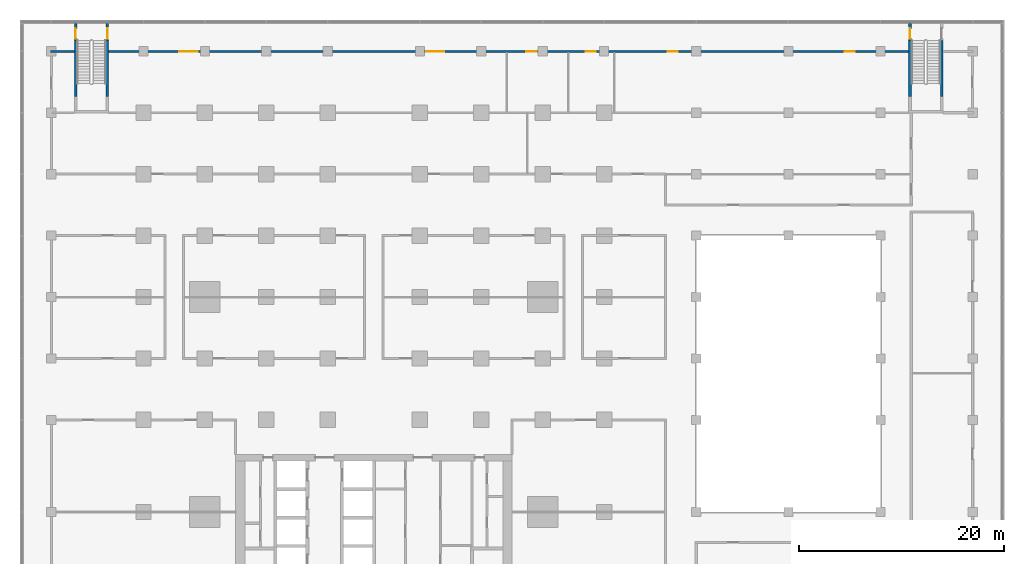
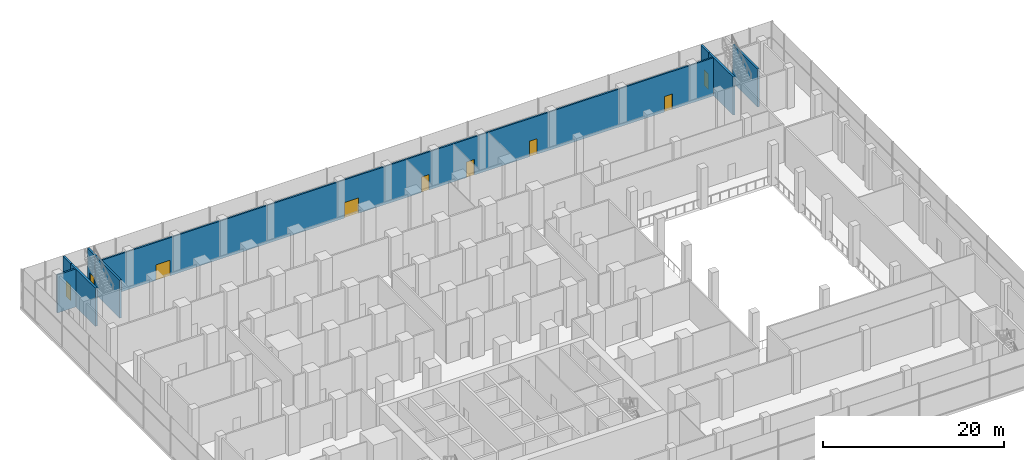
# One storey, part 18 of 22: 9 doors, 9 walls, 9 openings.
"""IFC4 building model written with IfcOpenShell, lengths in metres."""

from ifc_helpers import new_model, si_unit, direction, frame, frame_2d, origin, place, context, subcontext, project, spatial, rectangle, extrude, material, layer, layer_set, type_object, element, fill, save


model = new_model("IFC4")

# Units and contexts
model_context = context("Model", 3, precision=1e-05, world=origin(), true_north=direction((0.0, 1.0)))
body_context = subcontext(model_context, "Body", "Model", "MODEL_VIEW")
ifc_project = project(units=[si_unit("LENGTHUNIT", "METRE"), si_unit("AREAUNIT", "SQUARE_METRE"), si_unit("VOLUMEUNIT", "CUBIC_METRE"), si_unit("PLANEANGLEUNIT", "RADIAN"), si_unit("MASSUNIT", "GRAM", prefix="KILO")], contexts=[model_context])

# Site, building, storey
site_placement = place(None, origin())
site = spatial("IfcSite", under=ifc_project, at=site_placement, CompositionType="ELEMENT")
building_placement = place(site_placement, origin())
building = spatial("IfcBuilding", under=site, at=building_placement, Name="Finial Court Residences", CompositionType="ELEMENT")
storey_placement = place(building_placement, frame((0.0, 0.0, 8.0)))
storey = spatial("IfcBuildingStorey", under=building, at=storey_placement, Name="L01", CompositionType="ELEMENT", Elevation=8.0)

# Wall
ifc_material_1 = material(Name="Gypsum board")
ifc_layer_1 = layer(ifc_material_1, 0.02490234375)
ifc_material_2 = material(Name="Acoustic mineral wool in double frame")
ifc_layer_2 = layer(ifc_material_2, 0.14990234375)
ifc_layer_3 = layer(ifc_material_1, 0.02490234375)
ifc_layer_set_1 = layer_set([ifc_layer_1, ifc_layer_2, ifc_layer_3], Name="Corridor wall 200, 1 hour")
wall_type_1 = type_object("IfcWallType", Name="Corridor wall 200, 1 hour", PredefinedType="PARTITIONING", material=ifc_layer_set_1)
wall_1_placement = place(storey_placement, frame((-31.60009765625, 31.5, 0.0), z_axis=(0.0, 0.0, 1.0), x_axis=(1.0, 0.0, 0.0)))
element("IfcWall", 1, at=wall_1_placement, inside=storey, type_object=wall_type_1, Name="Partition L01-037", PredefinedType="PARTITIONING", context=body_context, shape_type="SweptSolid", body=[
    extrude(rectangle(XDim=2.35009765625, YDim=0.199951171875, at=frame_2d((1.175048828125, 0.0))), origin(), (0.0, 0.0, 1.0), 5.14990234375),
])

# Wall, openings, doors
wall_2_placement = place(storey_placement, frame((-25.89990234375, 31.5, 0.0), z_axis=(0.0, 0.0, 1.0), x_axis=(1.0, 0.0, 0.0)))
wall_2 = element("IfcWall", 2, at=wall_2_placement, inside=storey, type_object=wall_type_1, Name="Partition L01-038", PredefinedType="PARTITIONING", context=body_context, shape_type="SweptSolid", body=[
    extrude(rectangle(XDim=78.14990234375, YDim=0.199951171875, at=frame_2d((39.074951171875, 0.0))), origin(), (0.0, 0.0, 1.0), 5.14990234375),
])
opening_1_placement = place(wall_2_placement, frame((6.89990234375, 0.0, 0.0)))
opening_1 = element("IfcOpeningElement", 3, at=opening_1_placement, cuts=wall_2, Name="Opening L01-D031", PredefinedType="OPENING", context=body_context, shape_type="SweptSolid", body=[
    extrude(rectangle(XDim=1.800048828125, YDim=2.10009765625, at=frame_2d((0.89990234375, 1.050048828125))), frame((0.0, 0.10986328125, 0.0), z_axis=(0.0, -1.0, 0.0), x_axis=(1.0, 0.0, 0.0)), (0.0, 0.0, 1.0), 0.219970703125),
])
opening_2_placement = place(wall_2_placement, frame((31.0, 0.0, 0.0)))
opening_2 = element("IfcOpeningElement", 4, at=opening_2_placement, cuts=wall_2, Name="Opening L01-D032", PredefinedType="OPENING", context=body_context, shape_type="SweptSolid", body=[
    extrude(rectangle(XDim=1.800048828125, YDim=2.10009765625, at=frame_2d((0.89990234375, 1.050048828125))), frame((0.0, 0.10986328125, 0.0), z_axis=(0.0, -1.0, 0.0), x_axis=(1.0, 0.0, 0.0)), (0.0, 0.0, 1.0), 0.219970703125),
])
opening_3_placement = place(wall_2_placement, frame((40.800048828125, 0.0, 0.0)))
opening_3 = element("IfcOpeningElement", 5, at=opening_3_placement, cuts=wall_2, Name="Opening L01-D033", PredefinedType="OPENING", context=body_context, shape_type="SweptSolid", body=[
    extrude(rectangle(XDim=1.0, YDim=2.10009765625, at=frame_2d((0.5, 1.050048828125))), frame((0.0, 0.10986328125, 0.0), z_axis=(0.0, -1.0, 0.0), x_axis=(1.0, 0.0, 0.0)), (0.0, 0.0, 1.0), 0.219970703125),
])
opening_4_placement = place(wall_2_placement, frame((46.60009765625, 0.0, 0.0)))
opening_4 = element("IfcOpeningElement", 6, at=opening_4_placement, cuts=wall_2, Name="Opening L01-D034", PredefinedType="OPENING", context=body_context, shape_type="SweptSolid", body=[
    extrude(rectangle(XDim=1.0, YDim=2.10009765625, at=frame_2d((0.5, 1.050048828125))), frame((0.0, 0.10986328125, 0.0), z_axis=(0.0, -1.0, 0.0), x_axis=(1.0, 0.0, 0.0)), (0.0, 0.0, 1.0), 0.219970703125),
])
opening_5_placement = place(wall_2_placement, frame((54.60009765625, 0.0, 0.0)))
opening_5 = element("IfcOpeningElement", 7, at=opening_5_placement, cuts=wall_2, Name="Opening L01-D035", PredefinedType="OPENING", context=body_context, shape_type="SweptSolid", body=[
    extrude(rectangle(XDim=1.0, YDim=2.10009765625, at=frame_2d((0.5, 1.050048828125))), frame((0.0, 0.10986328125, 0.0), z_axis=(0.0, -1.0, 0.0), x_axis=(1.0, 0.0, 0.0)), (0.0, 0.0, 1.0), 0.219970703125),
])
opening_6_placement = place(wall_2_placement, frame((71.89990234375, 0.0, 0.0)))
opening_6 = element("IfcOpeningElement", 8, at=opening_6_placement, cuts=wall_2, Name="Opening L01-D036", PredefinedType="OPENING", context=body_context, shape_type="SweptSolid", body=[
    extrude(rectangle(XDim=1.0, YDim=2.10009765625, at=frame_2d((0.5, 1.050048828125))), frame((0.0, 0.10986328125, 0.0), z_axis=(0.0, -1.0, 0.0), x_axis=(1.0, 0.0, 0.0)), (0.0, 0.0, 1.0), 0.219970703125),
])
ifc_material_3 = material(Name="Timber door leaf in hollow metal frame", Category="wood")
door_type_1 = type_object("IfcDoorType", Name="Fire door set 1000 x 2100, 30 minutes", OperationType="SINGLE_SWING_LEFT", PredefinedType="DOOR", material=ifc_material_3)
door_1_placement = place(opening_3_placement, origin())
door_1 = element("IfcDoor", 9, at=door_1_placement, inside=storey, type_object=door_type_1, Name="Door L01-D033", OperationType="SINGLE_SWING_RIGHT", OverallHeight=2.10009765625, OverallWidth=1.0, PredefinedType="DOOR", context=body_context, shape_type="SweptSolid", body=[
    extrude(rectangle(XDim=1.0, YDim=2.10009765625, at=frame_2d((0.5, 1.050048828125))), frame((0.0, 0.02490234375, 0.0), z_axis=(0.0, -1.0, 0.0), x_axis=(1.0, 0.0, 0.0)), (0.0, 0.0, 1.0), 0.050048828125),
])
fill(opening_3, door_1)
door_2_placement = place(opening_4_placement, origin())
door_2 = element("IfcDoor", 10, at=door_2_placement, inside=storey, type_object=door_type_1, Name="Door L01-D034", OperationType="SINGLE_SWING_RIGHT", OverallHeight=2.10009765625, OverallWidth=1.0, PredefinedType="DOOR", context=body_context, shape_type="SweptSolid", body=[
    extrude(rectangle(XDim=1.0, YDim=2.10009765625, at=frame_2d((0.5, 1.050048828125))), frame((0.0, 0.02490234375, 0.0), z_axis=(0.0, -1.0, 0.0), x_axis=(1.0, 0.0, 0.0)), (0.0, 0.0, 1.0), 0.050048828125),
])
fill(opening_4, door_2)
door_3_placement = place(opening_5_placement, origin())
door_3 = element("IfcDoor", 11, at=door_3_placement, inside=storey, type_object=door_type_1, Name="Door L01-D035", OperationType="SINGLE_SWING_RIGHT", OverallHeight=2.10009765625, OverallWidth=1.0, PredefinedType="DOOR", context=body_context, shape_type="SweptSolid", body=[
    extrude(rectangle(XDim=1.0, YDim=2.10009765625, at=frame_2d((0.5, 1.050048828125))), frame((0.0, 0.02490234375, 0.0), z_axis=(0.0, -1.0, 0.0), x_axis=(1.0, 0.0, 0.0)), (0.0, 0.0, 1.0), 0.050048828125),
])
fill(opening_5, door_3)
door_4_placement = place(opening_6_placement, origin())
door_4 = element("IfcDoor", 12, at=door_4_placement, inside=storey, type_object=door_type_1, Name="Door L01-D036", OperationType="SINGLE_SWING_RIGHT", OverallHeight=2.10009765625, OverallWidth=1.0, PredefinedType="DOOR", context=body_context, shape_type="SweptSolid", body=[
    extrude(rectangle(XDim=1.0, YDim=2.10009765625, at=frame_2d((0.5, 1.050048828125))), frame((0.0, 0.02490234375, 0.0), z_axis=(0.0, -1.0, 0.0), x_axis=(1.0, 0.0, 0.0)), (0.0, 0.0, 1.0), 0.050048828125),
])
fill(opening_6, door_4)
door_type_2 = type_object("IfcDoorType", Name="Fire door set 1800 x 2100, 30 minutes", OperationType="DOUBLE_DOOR_SINGLE_SWING", PredefinedType="DOOR", material=ifc_material_3)
door_5_placement = place(opening_1_placement, origin())
door_5 = element("IfcDoor", 13, at=door_5_placement, inside=storey, type_object=door_type_2, Name="Door L01-D031", OperationType="DOUBLE_DOOR_SINGLE_SWING", OverallHeight=2.10009765625, OverallWidth=1.800048828125, PredefinedType="DOOR", context=body_context, shape_type="SweptSolid", body=[
    extrude(rectangle(XDim=1.800048828125, YDim=2.10009765625, at=frame_2d((0.89990234375, 1.050048828125))), frame((0.0, 0.02490234375, 0.0), z_axis=(0.0, -1.0, 0.0), x_axis=(1.0, 0.0, 0.0)), (0.0, 0.0, 1.0), 0.050048828125),
])
fill(opening_1, door_5)
door_6_placement = place(opening_2_placement, origin())
door_6 = element("IfcDoor", 14, at=door_6_placement, inside=storey, type_object=door_type_2, Name="Door L01-D032", OperationType="DOUBLE_DOOR_SINGLE_SWING", OverallHeight=2.10009765625, OverallWidth=1.800048828125, PredefinedType="DOOR", context=body_context, shape_type="SweptSolid", body=[
    extrude(rectangle(XDim=1.800048828125, YDim=2.10009765625, at=frame_2d((0.89990234375, 1.050048828125))), frame((0.0, 0.02490234375, 0.0), z_axis=(0.0, -1.0, 0.0), x_axis=(1.0, 0.0, 0.0)), (0.0, 0.0, 1.0), 0.050048828125),
])
fill(opening_2, door_6)

# Wall, opening, door
ifc_material_4 = material(Name="Concrete C50/60", Category="concrete")
ifc_layer_4 = layer(ifc_material_4, 0.25)
ifc_layer_set_2 = layer_set([ifc_layer_4], Name="Stair enclosure wall 250 Concrete C50/60")
wall_type_2 = type_object("IfcWallType", Name="Stair enclosure wall 250 Concrete C50/60", PredefinedType="SHEAR", material=ifc_layer_set_2)
wall_3_placement = place(storey_placement, frame((52.375, 34.239990234375, 0.0), z_axis=(0.0, 0.0, 1.0), x_axis=(0.0, -1.0, 0.0)))
wall_3 = element("IfcWall", 15, at=wall_3_placement, inside=storey, type_object=wall_type_2, Name="Exit Stair 5 enclosure wall L01-W1", PredefinedType="SHEAR", context=body_context, shape_type="SweptSolid", body=[
    extrude(rectangle(XDim=1.68994140625, YDim=0.25, at=frame_2d((0.844970703125, 0.0))), origin(), (0.0, 0.0, 1.0), 5.14990234375),
])
opening_7_placement = place(wall_3_placement, frame((0.489990234375, 0.0, 0.0)))
opening_7 = element("IfcOpeningElement", 16, at=opening_7_placement, cuts=wall_3, Name="Opening L01-S5", PredefinedType="OPENING", context=body_context, shape_type="SweptSolid", body=[
    extrude(rectangle(XDim=1.0, YDim=2.10009765625, at=frame_2d((0.5, 1.050048828125))), frame((0.0, 0.135009765625, 0.0), z_axis=(0.0, -1.0, 0.0), x_axis=(1.0, 0.0, 0.0)), (0.0, 0.0, 1.0), 0.27001953125),
])
ifc_material_5 = material(Name="Steel fire door", Category="steel")
door_type_3 = type_object("IfcDoorType", Name="Stair door 1000 x 2100 EI 90", OperationType="NOTDEFINED", PredefinedType="DOOR", material=ifc_material_5)
door_7_placement = place(opening_7_placement, origin())
door_7 = element("IfcDoor", 17, at=door_7_placement, inside=storey, type_object=door_type_3, Name="Exit Stair 5 door L01", OperationType="SINGLE_SWING_LEFT", OverallHeight=2.10009765625, OverallWidth=1.0, PredefinedType="DOOR", context=body_context, shape_type="SweptSolid", body=[
    extrude(rectangle(XDim=1.0, YDim=2.10009765625, at=frame_2d((0.5, 1.050048828125))), frame((0.0, 0.02490234375, 0.0), z_axis=(0.0, -1.0, 0.0), x_axis=(1.0, 0.0, 0.0)), (0.0, 0.0, 1.0), 0.050048828125),
])
fill(opening_7, door_7)

# Walls
for number, where, z_axis, x_axis, name in (
    (18, (52.375, 27.070068359375, 0.0), (0.0, 0.0, 1.0), (0.0, 1.0, 0.0), "Exit Stair 5 enclosure wall L01-W2"),
    (19, (55.47509765625, 27.070068359375, 0.0), (0.0, 0.0, 1.0), (0.0, 1.0, 0.0), "Exit Stair 5 enclosure wall L01-E2"),
):
    element("IfcWall", number, at=place(storey_placement, frame(where, z_axis=z_axis, x_axis=x_axis)), inside=storey, type_object=wall_type_2, Name=name, PredefinedType="SHEAR", context=body_context, shape_type="SweptSolid", body=[
        extrude(rectangle(XDim=5.47998046875, YDim=0.25, at=frame_2d((2.739990234375, 0.0))), origin(), (0.0, 0.0, 1.0), 5.14990234375),
    ])

# Wall, opening, door
wall_4_placement = place(storey_placement, frame((-29.125, 34.239990234375, 0.0), z_axis=(0.0, 0.0, 1.0), x_axis=(0.0, -1.0, 0.0)))
wall_4 = element("IfcWall", 20, at=wall_4_placement, inside=storey, type_object=wall_type_2, Name="Exit Stair 6 enclosure wall L01-W1", PredefinedType="SHEAR", context=body_context, shape_type="SweptSolid", body=[
    extrude(rectangle(XDim=1.68994140625, YDim=0.25, at=frame_2d((0.844970703125, 0.0))), origin(), (0.0, 0.0, 1.0), 5.14990234375),
])
opening_8_placement = place(wall_4_placement, frame((0.489990234375, 0.0, 0.0)))
opening_8 = element("IfcOpeningElement", 21, at=opening_8_placement, cuts=wall_4, Name="Opening L01-S6", PredefinedType="OPENING", context=body_context, shape_type="SweptSolid", body=[
    extrude(rectangle(XDim=1.0, YDim=2.10009765625, at=frame_2d((0.5, 1.050048828125))), frame((0.0, 0.135009765625, 0.0), z_axis=(0.0, -1.0, 0.0), x_axis=(1.0, 0.0, 0.0)), (0.0, 0.0, 1.0), 0.27001953125),
])
door_8_placement = place(opening_8_placement, origin())
door_8 = element("IfcDoor", 22, at=door_8_placement, inside=storey, type_object=door_type_3, Name="Exit Stair 6 door L01", OperationType="SINGLE_SWING_LEFT", OverallHeight=2.10009765625, OverallWidth=1.0, PredefinedType="DOOR", context=body_context, shape_type="SweptSolid", body=[
    extrude(rectangle(XDim=1.0, YDim=2.10009765625, at=frame_2d((0.5, 1.050048828125))), frame((0.0, 0.02490234375, 0.0), z_axis=(0.0, -1.0, 0.0), x_axis=(1.0, 0.0, 0.0)), (0.0, 0.0, 1.0), 0.050048828125),
])
fill(opening_8, door_8)

# Wall
wall_5_placement = place(storey_placement, frame((-29.125, 27.070068359375, 0.0), z_axis=(0.0, 0.0, 1.0), x_axis=(0.0, 1.0, 0.0)))
element("IfcWall", 23, at=wall_5_placement, inside=storey, type_object=wall_type_2, Name="Exit Stair 6 enclosure wall L01-W2", PredefinedType="SHEAR", context=body_context, shape_type="SweptSolid", body=[
    extrude(rectangle(XDim=5.47998046875, YDim=0.25, at=frame_2d((2.739990234375, 0.0))), origin(), (0.0, 0.0, 1.0), 5.14990234375),
])

# Wall, opening, door
wall_6_placement = place(storey_placement, frame((-26.02490234375, 32.550048828125, 0.0), z_axis=(0.0, 0.0, 1.0), x_axis=(0.0, 1.0, 0.0)))
wall_6 = element("IfcWall", 24, at=wall_6_placement, inside=storey, type_object=wall_type_2, Name="Exit Stair 6 enclosure wall L01-E1", PredefinedType="SHEAR", context=body_context, shape_type="SweptSolid", body=[
    extrude(rectangle(XDim=1.68994140625, YDim=0.25, at=frame_2d((0.844970703125, 0.0))), origin(), (0.0, 0.0, 1.0), 5.14990234375),
])
opening_9_placement = place(wall_6_placement, frame((0.199951171875, 0.0, 0.0)))
opening_9 = element("IfcOpeningElement", 25, at=opening_9_placement, cuts=wall_6, Name="Opening L01-S6E", PredefinedType="OPENING", context=body_context, shape_type="SweptSolid", body=[
    extrude(rectangle(XDim=1.0, YDim=2.10009765625, at=frame_2d((0.5, 1.050048828125))), frame((0.0, 0.135009765625, 0.0), z_axis=(0.0, -1.0, 0.0), x_axis=(1.0, 0.0, 0.0)), (0.0, 0.0, 1.0), 0.27001953125),
])
door_9_placement = place(opening_9_placement, origin())
door_9 = element("IfcDoor", 26, at=door_9_placement, inside=storey, type_object=door_type_3, Name="Exit Stair 6 east door L01", OperationType="SINGLE_SWING_RIGHT", OverallHeight=2.10009765625, OverallWidth=1.0, PredefinedType="DOOR", context=body_context, shape_type="SweptSolid", body=[
    extrude(rectangle(XDim=1.0, YDim=2.10009765625, at=frame_2d((0.5, 1.050048828125))), frame((0.0, 0.02490234375, 0.0), z_axis=(0.0, -1.0, 0.0), x_axis=(1.0, 0.0, 0.0)), (0.0, 0.0, 1.0), 0.050048828125),
])
fill(opening_9, door_9)

# Wall
wall_7_placement = place(storey_placement, frame((-26.02490234375, 27.070068359375, 0.0), z_axis=(0.0, 0.0, 1.0), x_axis=(0.0, 1.0, 0.0)))
element("IfcWall", 27, at=wall_7_placement, inside=storey, type_object=wall_type_2, Name="Exit Stair 6 enclosure wall L01-E2", PredefinedType="SHEAR", context=body_context, shape_type="SweptSolid", body=[
    extrude(rectangle(XDim=5.47998046875, YDim=0.25, at=frame_2d((2.739990234375, 0.0))), origin(), (0.0, 0.0, 1.0), 5.14990234375),
])

save(model, "model.ifc")
